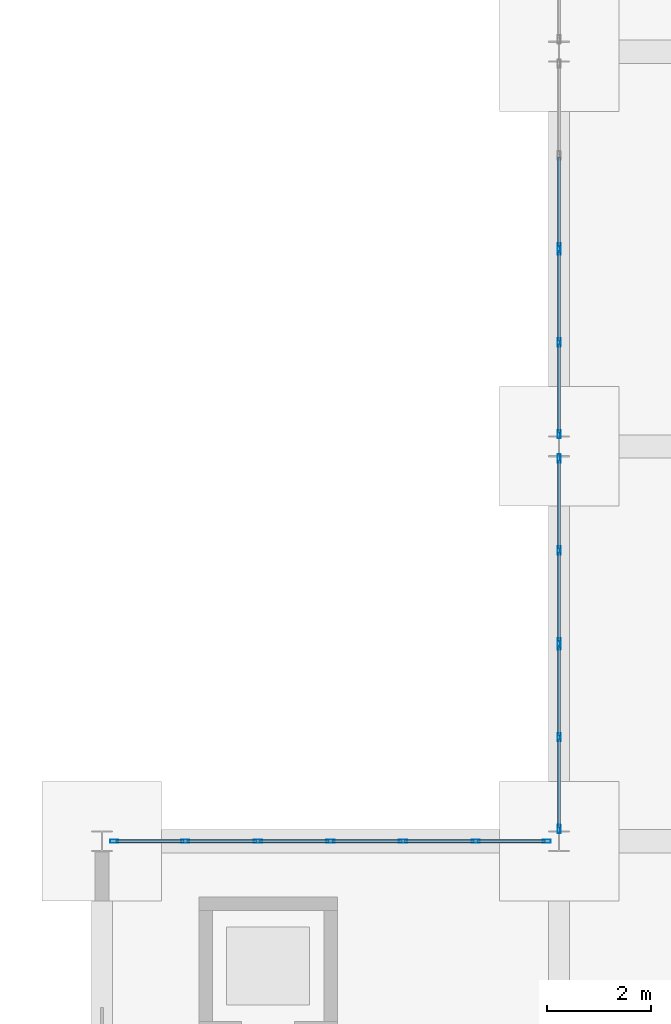
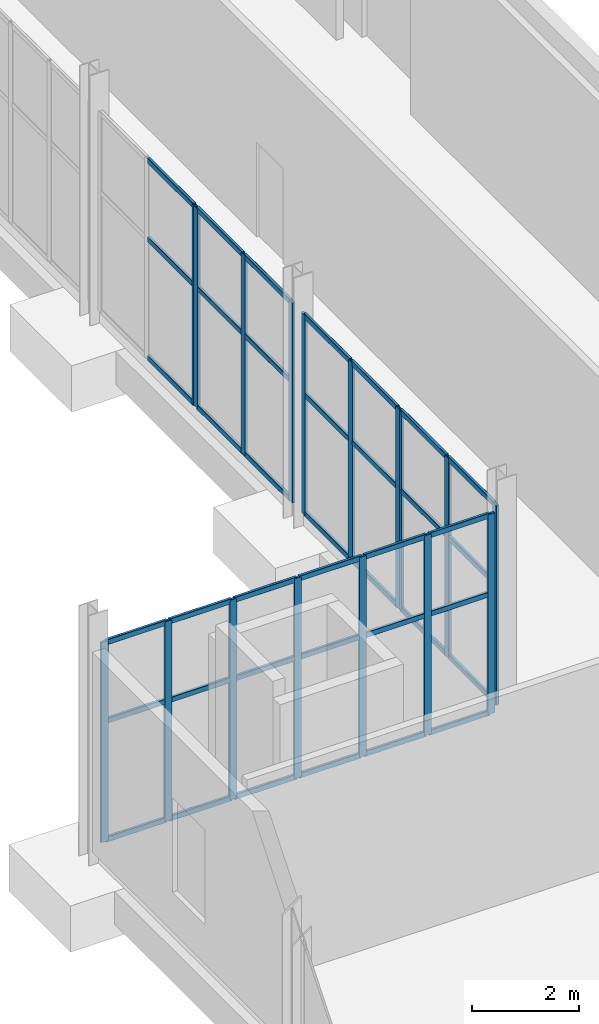
# One storey, part 49 of 95: 56 members, 5 elements without a shape of their own.
"""IFC4 building model written with IfcOpenShell, lengths in metres."""

from ifc_helpers import new_model, si_unit, direction, frame, origin, origin_2d, place, context, subcontext, project, spatial, hollow_rectangle, extrude, material, material_profile, profile_set, type_object, element, aggregate, save


model = new_model("IFC4")

# Units and contexts
model_context = context("Model", 3, precision=1e-05, world=origin(), true_north=direction((0.0, 1.0)))
body_context = subcontext(model_context, "Body", "Model", "MODEL_VIEW")
ifc_project = project(units=[si_unit("LENGTHUNIT", "METRE"), si_unit("AREAUNIT", "SQUARE_METRE"), si_unit("VOLUMEUNIT", "CUBIC_METRE"), si_unit("PLANEANGLEUNIT", "RADIAN"), si_unit("MASSUNIT", "GRAM", prefix="KILO")], contexts=[model_context])

# Site, building, storey
site_placement = place(None, origin())
site = spatial("IfcSite", under=ifc_project, at=site_placement, CompositionType="ELEMENT")
building_placement = place(site_placement, origin())
building = spatial("IfcBuilding", under=site, at=building_placement, Name="Shengluoqiao Park Theatre", CompositionType="ELEMENT")
storey_placement = place(building_placement, origin())
storey = spatial("IfcBuildingStorey", under=building, at=storey_placement, Name="L00", CompositionType="ELEMENT", Elevation=0.0)

# Curtain wall, members
ifc_material = material(Name="Aluminium 6063-T6", Category="aluminium")
curtain_wall_type = type_object("IfcCurtainWallType", Name="ENV-CW-COURT", PredefinedType="NOTDEFINED", material=ifc_material)
curtain_wall_1_placement = place(storey_placement, origin())
curtain_wall_1 = element("IfcCurtainWall", 1, at=curtain_wall_1_placement, inside=storey, type_object=curtain_wall_type, Name="L00 Curtain Wall CWX-L00-0168", PredefinedType="NOTDEFINED")
ifc_material_profile_1 = material_profile(ifc_material, hollow_rectangle(XDim=0.06005859375, YDim=0.159912109375, WallThickness=0.00390625, InnerFilletRadius=0.00390625, OuterFilletRadius=0.008056640625, at=origin_2d()), Name="ALU MULLION 160x60x4")
ifc_profile_set_1 = profile_set([ifc_material_profile_1], Name="Aluminium 6063-T6")
member_type_1 = type_object("IfcMemberType", Name="ENV-MUL-160", PredefinedType="MULLION", material=ifc_profile_set_1)
member_1_placement = place(storey_placement, frame((157.199951171875, 23.033935546875, 0.0), z_axis=(0.0, 0.0, 1.0), x_axis=(-1.0, 0.0, 0.0)))
member_1 = element("IfcMember", 2, at=member_1_placement, type_object=member_type_1, Name="CW-05 mullion 1", PredefinedType="MULLION", context=body_context, shape_type="SweptSolid", body=[
    extrude(hollow_rectangle(XDim=0.06005859375, YDim=0.159912109375, WallThickness=0.00390625, InnerFilletRadius=0.00390625, OuterFilletRadius=0.008056640625, at=origin_2d()), origin(), (0.0, 0.0, 1.0), 4.550048828125),
])
member_2_placement = place(storey_placement, frame((157.199951171875, 24.802001953125, 0.0), z_axis=(0.0, 0.0, 1.0), x_axis=(-1.0, 0.0, 0.0)))
member_2 = element("IfcMember", 3, at=member_2_placement, type_object=member_type_1, Name="CW-05 mullion 2", PredefinedType="MULLION", context=body_context, shape_type="SweptSolid", body=[
    extrude(hollow_rectangle(XDim=0.06005859375, YDim=0.159912109375, WallThickness=0.00390625, InnerFilletRadius=0.00390625, OuterFilletRadius=0.008056640625, at=origin_2d()), origin(), (0.0, 0.0, 1.0), 4.550048828125),
])
member_3_placement = place(storey_placement, frame((157.199951171875, 26.570068359375, 0.0), z_axis=(0.0, 0.0, 1.0), x_axis=(-1.0, 0.0, 0.0)))
member_3 = element("IfcMember", 4, at=member_3_placement, type_object=member_type_1, Name="CW-05 mullion 3", PredefinedType="MULLION", context=body_context, shape_type="SweptSolid", body=[
    extrude(hollow_rectangle(XDim=0.06005859375, YDim=0.159912109375, WallThickness=0.00390625, InnerFilletRadius=0.00390625, OuterFilletRadius=0.008056640625, at=origin_2d()), origin(), (0.0, 0.0, 1.0), 4.550048828125),
])

curtain_wall_2_placement = place(storey_placement, origin())
curtain_wall_2 = element("IfcCurtainWall", 5, at=curtain_wall_2_placement, inside=storey, type_object=curtain_wall_type, Name="L00 Curtain Wall CWX-L00-0169", PredefinedType="NOTDEFINED")
member_4_placement = place(storey_placement, frame((157.199951171875, 26.6298828125, 0.0), z_axis=(0.0, 0.0, 1.0), x_axis=(-1.0, 0.0, 0.0)))
member_4 = element("IfcMember", 6, at=member_4_placement, type_object=member_type_1, Name="CW-05 mullion 1", PredefinedType="MULLION", context=body_context, shape_type="SweptSolid", body=[
    extrude(hollow_rectangle(XDim=0.06005859375, YDim=0.159912109375, WallThickness=0.00390625, InnerFilletRadius=0.00390625, OuterFilletRadius=0.008056640625, at=origin_2d()), origin(), (0.0, 0.0, 1.0), 4.550048828125),
])
member_5_placement = place(storey_placement, frame((157.199951171875, 28.39794921875, 0.0), z_axis=(0.0, 0.0, 1.0), x_axis=(-1.0, 0.0, 0.0)))
member_5 = element("IfcMember", 7, at=member_5_placement, type_object=member_type_1, Name="CW-05 mullion 2", PredefinedType="MULLION", context=body_context, shape_type="SweptSolid", body=[
    extrude(hollow_rectangle(XDim=0.06005859375, YDim=0.159912109375, WallThickness=0.00390625, InnerFilletRadius=0.00390625, OuterFilletRadius=0.008056640625, at=origin_2d()), origin(), (0.0, 0.0, 1.0), 4.550048828125),
])
member_6_placement = place(storey_placement, frame((157.199951171875, 30.166015625, 0.0), z_axis=(0.0, 0.0, 1.0), x_axis=(-1.0, 0.0, 0.0)))
member_6 = element("IfcMember", 8, at=member_6_placement, type_object=member_type_1, Name="CW-05 mullion 3", PredefinedType="MULLION", context=body_context, shape_type="SweptSolid", body=[
    extrude(hollow_rectangle(XDim=0.06005859375, YDim=0.159912109375, WallThickness=0.00390625, InnerFilletRadius=0.00390625, OuterFilletRadius=0.008056640625, at=origin_2d()), origin(), (0.0, 0.0, 1.0), 4.550048828125),
])

curtain_wall_3_placement = place(storey_placement, origin())
curtain_wall_3 = element("IfcCurtainWall", 9, at=curtain_wall_3_placement, inside=storey, type_object=curtain_wall_type, Name="L00 Curtain Wall CWX-L00-0170", PredefinedType="NOTDEFINED")
member_7_placement = place(storey_placement, frame((157.199951171875, 30.634033203125, 0.0), z_axis=(0.0, 0.0, 1.0), x_axis=(-1.0, 0.0, 0.0)))
member_7 = element("IfcMember", 10, at=member_7_placement, type_object=member_type_1, Name="CW-05 mullion 1", PredefinedType="MULLION", context=body_context, shape_type="SweptSolid", body=[
    extrude(hollow_rectangle(XDim=0.06005859375, YDim=0.159912109375, WallThickness=0.00390625, InnerFilletRadius=0.00390625, OuterFilletRadius=0.008056640625, at=origin_2d()), origin(), (0.0, 0.0, 1.0), 4.550048828125),
])
member_8_placement = place(storey_placement, frame((157.199951171875, 32.402099609375, 0.0), z_axis=(0.0, 0.0, 1.0), x_axis=(-1.0, 0.0, 0.0)))
member_8 = element("IfcMember", 11, at=member_8_placement, type_object=member_type_1, Name="CW-05 mullion 2", PredefinedType="MULLION", context=body_context, shape_type="SweptSolid", body=[
    extrude(hollow_rectangle(XDim=0.06005859375, YDim=0.159912109375, WallThickness=0.00390625, InnerFilletRadius=0.00390625, OuterFilletRadius=0.008056640625, at=origin_2d()), origin(), (0.0, 0.0, 1.0), 4.550048828125),
])
member_9_placement = place(storey_placement, frame((157.199951171875, 34.169921875, 0.0), z_axis=(0.0, 0.0, 1.0), x_axis=(-1.0, 0.0, 0.0)))
member_9 = element("IfcMember", 12, at=member_9_placement, type_object=member_type_1, Name="CW-05 mullion 3", PredefinedType="MULLION", context=body_context, shape_type="SweptSolid", body=[
    extrude(hollow_rectangle(XDim=0.06005859375, YDim=0.159912109375, WallThickness=0.00390625, InnerFilletRadius=0.00390625, OuterFilletRadius=0.008056640625, at=origin_2d()), origin(), (0.0, 0.0, 1.0), 4.550048828125),
])

# Curtain wall, member
curtain_wall_4_placement = place(storey_placement, origin())
curtain_wall_4 = element("IfcCurtainWall", 13, at=curtain_wall_4_placement, inside=storey, type_object=curtain_wall_type, Name="L00 Curtain Wall CWX-L00-0171", PredefinedType="NOTDEFINED")
member_10_placement = place(storey_placement, frame((157.199951171875, 34.22998046875, 0.0), z_axis=(0.0, 0.0, 1.0), x_axis=(-1.0, 0.0, 0.0)))
member_10 = element("IfcMember", 14, at=member_10_placement, type_object=member_type_1, Name="CW-05 mullion 1", PredefinedType="MULLION", context=body_context, shape_type="SweptSolid", body=[
    extrude(hollow_rectangle(XDim=0.06005859375, YDim=0.159912109375, WallThickness=0.00390625, InnerFilletRadius=0.00390625, OuterFilletRadius=0.008056640625, at=origin_2d()), origin(), (0.0, 0.0, 1.0), 4.550048828125),
])

# Curtain wall, members
curtain_wall_5_placement = place(storey_placement, origin())
curtain_wall_5 = element("IfcCurtainWall", 15, at=curtain_wall_5_placement, inside=storey, type_object=curtain_wall_type, Name="L00 Curtain Wall CWX-L00-0204", PredefinedType="NOTDEFINED")
member_11_placement = place(storey_placement, frame((148.637939453125, 22.800048828125, 0.0), z_axis=(0.0, 0.0, 1.0), x_axis=(0.0, 1.0, 0.0)))
member_11 = element("IfcMember", 16, at=member_11_placement, type_object=member_type_1, Name="CW-05 mullion 1", PredefinedType="MULLION", context=body_context, shape_type="SweptSolid", body=[
    extrude(hollow_rectangle(XDim=0.06005859375, YDim=0.159912109375, WallThickness=0.00390625, InnerFilletRadius=0.00390625, OuterFilletRadius=0.008056640625, at=origin_2d()), origin(), (0.0, 0.0, 1.0), 4.550048828125),
])
member_12_placement = place(storey_placement, frame((150.00537109375, 22.800048828125, 0.0), z_axis=(0.0, 0.0, 1.0), x_axis=(0.0, 1.0, 0.0)))
member_12 = element("IfcMember", 17, at=member_12_placement, type_object=member_type_1, Name="CW-05 mullion 2", PredefinedType="MULLION", context=body_context, shape_type="SweptSolid", body=[
    extrude(hollow_rectangle(XDim=0.06005859375, YDim=0.159912109375, WallThickness=0.00390625, InnerFilletRadius=0.00390625, OuterFilletRadius=0.008056640625, at=origin_2d()), origin(), (0.0, 0.0, 1.0), 4.550048828125),
])
member_13_placement = place(storey_placement, frame((151.402587890625, 22.800048828125, 0.0), z_axis=(0.0, 0.0, 1.0), x_axis=(0.0, 1.0, 0.0)))
member_13 = element("IfcMember", 18, at=member_13_placement, type_object=member_type_1, Name="CW-05 mullion 3", PredefinedType="MULLION", context=body_context, shape_type="SweptSolid", body=[
    extrude(hollow_rectangle(XDim=0.06005859375, YDim=0.159912109375, WallThickness=0.00390625, InnerFilletRadius=0.00390625, OuterFilletRadius=0.008056640625, at=origin_2d()), origin(), (0.0, 0.0, 1.0), 4.550048828125),
])
member_14_placement = place(storey_placement, frame((152.800048828125, 22.800048828125, 0.0), z_axis=(0.0, 0.0, 1.0), x_axis=(0.0, 1.0, 0.0)))
member_14 = element("IfcMember", 19, at=member_14_placement, type_object=member_type_1, Name="CW-05 mullion 4", PredefinedType="MULLION", context=body_context, shape_type="SweptSolid", body=[
    extrude(hollow_rectangle(XDim=0.06005859375, YDim=0.159912109375, WallThickness=0.00390625, InnerFilletRadius=0.00390625, OuterFilletRadius=0.008056640625, at=origin_2d()), origin(), (0.0, 0.0, 1.0), 4.550048828125),
])
member_15_placement = place(storey_placement, frame((154.197265625, 22.800048828125, 0.0), z_axis=(0.0, 0.0, 1.0), x_axis=(0.0, 1.0, 0.0)))
member_15 = element("IfcMember", 20, at=member_15_placement, type_object=member_type_1, Name="CW-05 mullion 5", PredefinedType="MULLION", context=body_context, shape_type="SweptSolid", body=[
    extrude(hollow_rectangle(XDim=0.06005859375, YDim=0.159912109375, WallThickness=0.00390625, InnerFilletRadius=0.00390625, OuterFilletRadius=0.008056640625, at=origin_2d()), origin(), (0.0, 0.0, 1.0), 4.550048828125),
])
member_16_placement = place(storey_placement, frame((155.5947265625, 22.800048828125, 0.0), z_axis=(0.0, 0.0, 1.0), x_axis=(0.0, 1.0, 0.0)))
member_16 = element("IfcMember", 21, at=member_16_placement, type_object=member_type_1, Name="CW-05 mullion 6", PredefinedType="MULLION", context=body_context, shape_type="SweptSolid", body=[
    extrude(hollow_rectangle(XDim=0.06005859375, YDim=0.159912109375, WallThickness=0.00390625, InnerFilletRadius=0.00390625, OuterFilletRadius=0.008056640625, at=origin_2d()), origin(), (0.0, 0.0, 1.0), 4.550048828125),
])
member_17_placement = place(storey_placement, frame((156.9619140625, 22.800048828125, 0.0), z_axis=(0.0, 0.0, 1.0), x_axis=(0.0, 1.0, 0.0)))
member_17 = element("IfcMember", 22, at=member_17_placement, type_object=member_type_1, Name="CW-05 mullion 7", PredefinedType="MULLION", context=body_context, shape_type="SweptSolid", body=[
    extrude(hollow_rectangle(XDim=0.06005859375, YDim=0.159912109375, WallThickness=0.00390625, InnerFilletRadius=0.00390625, OuterFilletRadius=0.008056640625, at=origin_2d()), origin(), (0.0, 0.0, 1.0), 4.550048828125),
])

# Member
ifc_material_profile_2 = material_profile(ifc_material, hollow_rectangle(XDim=0.06005859375, YDim=0.1201171875, WallThickness=0.00390625, InnerFilletRadius=0.00390625, OuterFilletRadius=0.008056640625, at=origin_2d()), Name="ALU TRANSOM 120x60x4")
ifc_profile_set_2 = profile_set([ifc_material_profile_2], Name="Aluminium 6063-T6")
member_type_2 = type_object("IfcMemberType", Name="ENV-TRN-120", PredefinedType="USERDEFINED", material=ifc_profile_set_2)
member_18_placement = place(storey_placement, frame((157.199951171875, 23.06396484375, 0.030029296875), z_axis=(0.0, 1.0, 0.0), x_axis=(-1.0, 0.0, 0.0)))
member_18 = element("IfcMember", 23, at=member_18_placement, type_object=member_type_2, Name="CW-05 transom 1.1", ObjectType="TRANSOM", PredefinedType="USERDEFINED", context=body_context, shape_type="SweptSolid", body=[
    extrude(hollow_rectangle(XDim=0.06005859375, YDim=0.1201171875, WallThickness=0.00390625, InnerFilletRadius=0.00390625, OuterFilletRadius=0.008056640625, at=origin_2d()), origin(), (0.0, 0.0, 1.0), 1.7080078125),
])

member_19_placement = place(storey_placement, frame((157.199951171875, 23.06396484375, 2.72998046875), z_axis=(0.0, 1.0, 0.0), x_axis=(-1.0, 0.0, 0.0)))
member_19 = element("IfcMember", 24, at=member_19_placement, type_object=member_type_2, Name="CW-05 transom 1.2", ObjectType="TRANSOM", PredefinedType="USERDEFINED", context=body_context, shape_type="SweptSolid", body=[
    extrude(hollow_rectangle(XDim=0.06005859375, YDim=0.1201171875, WallThickness=0.00390625, InnerFilletRadius=0.00390625, OuterFilletRadius=0.008056640625, at=origin_2d()), origin(), (0.0, 0.0, 1.0), 1.7080078125),
])

member_20_placement = place(storey_placement, frame((157.199951171875, 23.06396484375, 4.52001953125), z_axis=(0.0, 1.0, 0.0), x_axis=(-1.0, 0.0, 0.0)))
member_20 = element("IfcMember", 25, at=member_20_placement, type_object=member_type_2, Name="CW-05 transom 1.3", ObjectType="TRANSOM", PredefinedType="USERDEFINED", context=body_context, shape_type="SweptSolid", body=[
    extrude(hollow_rectangle(XDim=0.06005859375, YDim=0.1201171875, WallThickness=0.00390625, InnerFilletRadius=0.00390625, OuterFilletRadius=0.008056640625, at=origin_2d()), origin(), (0.0, 0.0, 1.0), 1.7080078125),
])

member_21_placement = place(storey_placement, frame((157.199951171875, 24.83203125, 0.030029296875), z_axis=(0.0, 1.0, 0.0), x_axis=(-1.0, 0.0, 0.0)))
member_21 = element("IfcMember", 26, at=member_21_placement, type_object=member_type_2, Name="CW-05 transom 2.1", ObjectType="TRANSOM", PredefinedType="USERDEFINED", context=body_context, shape_type="SweptSolid", body=[
    extrude(hollow_rectangle(XDim=0.06005859375, YDim=0.1201171875, WallThickness=0.00390625, InnerFilletRadius=0.00390625, OuterFilletRadius=0.008056640625, at=origin_2d()), origin(), (0.0, 0.0, 1.0), 1.7080078125),
])

member_22_placement = place(storey_placement, frame((157.199951171875, 24.83203125, 2.72998046875), z_axis=(0.0, 1.0, 0.0), x_axis=(-1.0, 0.0, 0.0)))
member_22 = element("IfcMember", 27, at=member_22_placement, type_object=member_type_2, Name="CW-05 transom 2.2", ObjectType="TRANSOM", PredefinedType="USERDEFINED", context=body_context, shape_type="SweptSolid", body=[
    extrude(hollow_rectangle(XDim=0.06005859375, YDim=0.1201171875, WallThickness=0.00390625, InnerFilletRadius=0.00390625, OuterFilletRadius=0.008056640625, at=origin_2d()), origin(), (0.0, 0.0, 1.0), 1.7080078125),
])

member_23_placement = place(storey_placement, frame((157.199951171875, 24.83203125, 4.52001953125), z_axis=(0.0, 1.0, 0.0), x_axis=(-1.0, 0.0, 0.0)))
member_23 = element("IfcMember", 28, at=member_23_placement, type_object=member_type_2, Name="CW-05 transom 2.3", ObjectType="TRANSOM", PredefinedType="USERDEFINED", context=body_context, shape_type="SweptSolid", body=[
    extrude(hollow_rectangle(XDim=0.06005859375, YDim=0.1201171875, WallThickness=0.00390625, InnerFilletRadius=0.00390625, OuterFilletRadius=0.008056640625, at=origin_2d()), origin(), (0.0, 0.0, 1.0), 1.7080078125),
])

aggregate(curtain_wall_1, [member_1, member_2, member_3, member_18, member_19, member_20, member_21, member_22, member_23])

member_24_placement = place(storey_placement, frame((157.199951171875, 26.659912109375, 0.030029296875), z_axis=(0.0, 1.0, 0.0), x_axis=(-1.0, 0.0, 0.0)))
member_24 = element("IfcMember", 29, at=member_24_placement, type_object=member_type_2, Name="CW-05 transom 1.1", ObjectType="TRANSOM", PredefinedType="USERDEFINED", context=body_context, shape_type="SweptSolid", body=[
    extrude(hollow_rectangle(XDim=0.06005859375, YDim=0.1201171875, WallThickness=0.00390625, InnerFilletRadius=0.00390625, OuterFilletRadius=0.008056640625, at=origin_2d()), origin(), (0.0, 0.0, 1.0), 1.7080078125),
])

member_25_placement = place(storey_placement, frame((157.199951171875, 26.659912109375, 2.72998046875), z_axis=(0.0, 1.0, 0.0), x_axis=(-1.0, 0.0, 0.0)))
member_25 = element("IfcMember", 30, at=member_25_placement, type_object=member_type_2, Name="CW-05 transom 1.2", ObjectType="TRANSOM", PredefinedType="USERDEFINED", context=body_context, shape_type="SweptSolid", body=[
    extrude(hollow_rectangle(XDim=0.06005859375, YDim=0.1201171875, WallThickness=0.00390625, InnerFilletRadius=0.00390625, OuterFilletRadius=0.008056640625, at=origin_2d()), origin(), (0.0, 0.0, 1.0), 1.7080078125),
])

member_26_placement = place(storey_placement, frame((157.199951171875, 26.659912109375, 4.52001953125), z_axis=(0.0, 1.0, 0.0), x_axis=(-1.0, 0.0, 0.0)))
member_26 = element("IfcMember", 31, at=member_26_placement, type_object=member_type_2, Name="CW-05 transom 1.3", ObjectType="TRANSOM", PredefinedType="USERDEFINED", context=body_context, shape_type="SweptSolid", body=[
    extrude(hollow_rectangle(XDim=0.06005859375, YDim=0.1201171875, WallThickness=0.00390625, InnerFilletRadius=0.00390625, OuterFilletRadius=0.008056640625, at=origin_2d()), origin(), (0.0, 0.0, 1.0), 1.7080078125),
])

member_27_placement = place(storey_placement, frame((157.199951171875, 28.427978515625, 0.030029296875), z_axis=(0.0, 1.0, 0.0), x_axis=(-1.0, 0.0, 0.0)))
member_27 = element("IfcMember", 32, at=member_27_placement, type_object=member_type_2, Name="CW-05 transom 2.1", ObjectType="TRANSOM", PredefinedType="USERDEFINED", context=body_context, shape_type="SweptSolid", body=[
    extrude(hollow_rectangle(XDim=0.06005859375, YDim=0.1201171875, WallThickness=0.00390625, InnerFilletRadius=0.00390625, OuterFilletRadius=0.008056640625, at=origin_2d()), origin(), (0.0, 0.0, 1.0), 1.7080078125),
])

member_28_placement = place(storey_placement, frame((157.199951171875, 28.427978515625, 2.72998046875), z_axis=(0.0, 1.0, 0.0), x_axis=(-1.0, 0.0, 0.0)))
member_28 = element("IfcMember", 33, at=member_28_placement, type_object=member_type_2, Name="CW-05 transom 2.2", ObjectType="TRANSOM", PredefinedType="USERDEFINED", context=body_context, shape_type="SweptSolid", body=[
    extrude(hollow_rectangle(XDim=0.06005859375, YDim=0.1201171875, WallThickness=0.00390625, InnerFilletRadius=0.00390625, OuterFilletRadius=0.008056640625, at=origin_2d()), origin(), (0.0, 0.0, 1.0), 1.7080078125),
])

member_29_placement = place(storey_placement, frame((157.199951171875, 28.427978515625, 4.52001953125), z_axis=(0.0, 1.0, 0.0), x_axis=(-1.0, 0.0, 0.0)))
member_29 = element("IfcMember", 34, at=member_29_placement, type_object=member_type_2, Name="CW-05 transom 2.3", ObjectType="TRANSOM", PredefinedType="USERDEFINED", context=body_context, shape_type="SweptSolid", body=[
    extrude(hollow_rectangle(XDim=0.06005859375, YDim=0.1201171875, WallThickness=0.00390625, InnerFilletRadius=0.00390625, OuterFilletRadius=0.008056640625, at=origin_2d()), origin(), (0.0, 0.0, 1.0), 1.7080078125),
])

aggregate(curtain_wall_2, [member_4, member_5, member_6, member_24, member_25, member_26, member_27, member_28, member_29])

member_30_placement = place(storey_placement, frame((157.199951171875, 30.6640625, 0.030029296875), z_axis=(0.0, 1.0, 0.0), x_axis=(-1.0, 0.0, 0.0)))
member_30 = element("IfcMember", 35, at=member_30_placement, type_object=member_type_2, Name="CW-05 transom 1.1", ObjectType="TRANSOM", PredefinedType="USERDEFINED", context=body_context, shape_type="SweptSolid", body=[
    extrude(hollow_rectangle(XDim=0.06005859375, YDim=0.1201171875, WallThickness=0.00390625, InnerFilletRadius=0.00390625, OuterFilletRadius=0.008056640625, at=origin_2d()), origin(), (0.0, 0.0, 1.0), 1.7080078125),
])

member_31_placement = place(storey_placement, frame((157.199951171875, 30.6640625, 2.72998046875), z_axis=(0.0, 1.0, 0.0), x_axis=(-1.0, 0.0, 0.0)))
member_31 = element("IfcMember", 36, at=member_31_placement, type_object=member_type_2, Name="CW-05 transom 1.2", ObjectType="TRANSOM", PredefinedType="USERDEFINED", context=body_context, shape_type="SweptSolid", body=[
    extrude(hollow_rectangle(XDim=0.06005859375, YDim=0.1201171875, WallThickness=0.00390625, InnerFilletRadius=0.00390625, OuterFilletRadius=0.008056640625, at=origin_2d()), origin(), (0.0, 0.0, 1.0), 1.7080078125),
])

member_32_placement = place(storey_placement, frame((157.199951171875, 30.6640625, 4.52001953125), z_axis=(0.0, 1.0, 0.0), x_axis=(-1.0, 0.0, 0.0)))
member_32 = element("IfcMember", 37, at=member_32_placement, type_object=member_type_2, Name="CW-05 transom 1.3", ObjectType="TRANSOM", PredefinedType="USERDEFINED", context=body_context, shape_type="SweptSolid", body=[
    extrude(hollow_rectangle(XDim=0.06005859375, YDim=0.1201171875, WallThickness=0.00390625, InnerFilletRadius=0.00390625, OuterFilletRadius=0.008056640625, at=origin_2d()), origin(), (0.0, 0.0, 1.0), 1.7080078125),
])

member_33_placement = place(storey_placement, frame((157.199951171875, 32.431884765625, 0.030029296875), z_axis=(0.0, 1.0, 0.0), x_axis=(-1.0, 0.0, 0.0)))
member_33 = element("IfcMember", 38, at=member_33_placement, type_object=member_type_2, Name="CW-05 transom 2.1", ObjectType="TRANSOM", PredefinedType="USERDEFINED", context=body_context, shape_type="SweptSolid", body=[
    extrude(hollow_rectangle(XDim=0.06005859375, YDim=0.1201171875, WallThickness=0.00390625, InnerFilletRadius=0.00390625, OuterFilletRadius=0.008056640625, at=origin_2d()), origin(), (0.0, 0.0, 1.0), 1.7080078125),
])

member_34_placement = place(storey_placement, frame((157.199951171875, 32.431884765625, 2.72998046875), z_axis=(0.0, 1.0, 0.0), x_axis=(-1.0, 0.0, 0.0)))
member_34 = element("IfcMember", 39, at=member_34_placement, type_object=member_type_2, Name="CW-05 transom 2.2", ObjectType="TRANSOM", PredefinedType="USERDEFINED", context=body_context, shape_type="SweptSolid", body=[
    extrude(hollow_rectangle(XDim=0.06005859375, YDim=0.1201171875, WallThickness=0.00390625, InnerFilletRadius=0.00390625, OuterFilletRadius=0.008056640625, at=origin_2d()), origin(), (0.0, 0.0, 1.0), 1.7080078125),
])

member_35_placement = place(storey_placement, frame((157.199951171875, 32.431884765625, 4.52001953125), z_axis=(0.0, 1.0, 0.0), x_axis=(-1.0, 0.0, 0.0)))
member_35 = element("IfcMember", 40, at=member_35_placement, type_object=member_type_2, Name="CW-05 transom 2.3", ObjectType="TRANSOM", PredefinedType="USERDEFINED", context=body_context, shape_type="SweptSolid", body=[
    extrude(hollow_rectangle(XDim=0.06005859375, YDim=0.1201171875, WallThickness=0.00390625, InnerFilletRadius=0.00390625, OuterFilletRadius=0.008056640625, at=origin_2d()), origin(), (0.0, 0.0, 1.0), 1.7080078125),
])

aggregate(curtain_wall_3, [member_7, member_8, member_9, member_30, member_31, member_32, member_33, member_34, member_35])

member_36_placement = place(storey_placement, frame((157.199951171875, 34.260009765625, 0.030029296875), z_axis=(0.0, 1.0, 0.0), x_axis=(-1.0, 0.0, 0.0)))
member_36 = element("IfcMember", 41, at=member_36_placement, type_object=member_type_2, Name="CW-05 transom 1.1", ObjectType="TRANSOM", PredefinedType="USERDEFINED", context=body_context, shape_type="SweptSolid", body=[
    extrude(hollow_rectangle(XDim=0.06005859375, YDim=0.1201171875, WallThickness=0.00390625, InnerFilletRadius=0.00390625, OuterFilletRadius=0.008056640625, at=origin_2d()), origin(), (0.0, 0.0, 1.0), 1.7080078125),
])

member_37_placement = place(storey_placement, frame((157.199951171875, 34.260009765625, 2.72998046875), z_axis=(0.0, 1.0, 0.0), x_axis=(-1.0, 0.0, 0.0)))
member_37 = element("IfcMember", 42, at=member_37_placement, type_object=member_type_2, Name="CW-05 transom 1.2", ObjectType="TRANSOM", PredefinedType="USERDEFINED", context=body_context, shape_type="SweptSolid", body=[
    extrude(hollow_rectangle(XDim=0.06005859375, YDim=0.1201171875, WallThickness=0.00390625, InnerFilletRadius=0.00390625, OuterFilletRadius=0.008056640625, at=origin_2d()), origin(), (0.0, 0.0, 1.0), 1.7080078125),
])

member_38_placement = place(storey_placement, frame((157.199951171875, 34.260009765625, 4.52001953125), z_axis=(0.0, 1.0, 0.0), x_axis=(-1.0, 0.0, 0.0)))
member_38 = element("IfcMember", 43, at=member_38_placement, type_object=member_type_2, Name="CW-05 transom 1.3", ObjectType="TRANSOM", PredefinedType="USERDEFINED", context=body_context, shape_type="SweptSolid", body=[
    extrude(hollow_rectangle(XDim=0.06005859375, YDim=0.1201171875, WallThickness=0.00390625, InnerFilletRadius=0.00390625, OuterFilletRadius=0.008056640625, at=origin_2d()), origin(), (0.0, 0.0, 1.0), 1.7080078125),
])

aggregate(curtain_wall_4, [member_10, member_36, member_37, member_38])

member_39_placement = place(storey_placement, frame((148.66796875, 22.800048828125, 0.030029296875), z_axis=(1.0, 0.0, 0.0), x_axis=(0.0, 1.0, 0.0)))
member_39 = element("IfcMember", 44, at=member_39_placement, type_object=member_type_2, Name="CW-05 transom 1.1", ObjectType="TRANSOM", PredefinedType="USERDEFINED", context=body_context, shape_type="SweptSolid", body=[
    extrude(hollow_rectangle(XDim=0.06005859375, YDim=0.1201171875, WallThickness=0.00390625, InnerFilletRadius=0.00390625, OuterFilletRadius=0.008056640625, at=origin_2d()), origin(), (0.0, 0.0, 1.0), 1.307373046875),
])

member_40_placement = place(storey_placement, frame((148.66796875, 22.800048828125, 2.72998046875), z_axis=(1.0, 0.0, 0.0), x_axis=(0.0, 1.0, 0.0)))
member_40 = element("IfcMember", 45, at=member_40_placement, type_object=member_type_2, Name="CW-05 transom 1.2", ObjectType="TRANSOM", PredefinedType="USERDEFINED", context=body_context, shape_type="SweptSolid", body=[
    extrude(hollow_rectangle(XDim=0.06005859375, YDim=0.1201171875, WallThickness=0.00390625, InnerFilletRadius=0.00390625, OuterFilletRadius=0.008056640625, at=origin_2d()), origin(), (0.0, 0.0, 1.0), 1.307373046875),
])

member_41_placement = place(storey_placement, frame((148.66796875, 22.800048828125, 4.52001953125), z_axis=(1.0, 0.0, 0.0), x_axis=(0.0, 1.0, 0.0)))
member_41 = element("IfcMember", 46, at=member_41_placement, type_object=member_type_2, Name="CW-05 transom 1.3", ObjectType="TRANSOM", PredefinedType="USERDEFINED", context=body_context, shape_type="SweptSolid", body=[
    extrude(hollow_rectangle(XDim=0.06005859375, YDim=0.1201171875, WallThickness=0.00390625, InnerFilletRadius=0.00390625, OuterFilletRadius=0.008056640625, at=origin_2d()), origin(), (0.0, 0.0, 1.0), 1.307373046875),
])

member_42_placement = place(storey_placement, frame((150.035400390625, 22.800048828125, 0.030029296875), z_axis=(1.0, 0.0, 0.0), x_axis=(0.0, 1.0, 0.0)))
member_42 = element("IfcMember", 47, at=member_42_placement, type_object=member_type_2, Name="CW-05 transom 2.1", ObjectType="TRANSOM", PredefinedType="USERDEFINED", context=body_context, shape_type="SweptSolid", body=[
    extrude(hollow_rectangle(XDim=0.06005859375, YDim=0.1201171875, WallThickness=0.00390625, InnerFilletRadius=0.00390625, OuterFilletRadius=0.008056640625, at=origin_2d()), origin(), (0.0, 0.0, 1.0), 1.337158203125),
])

member_43_placement = place(storey_placement, frame((150.035400390625, 22.800048828125, 2.72998046875), z_axis=(1.0, 0.0, 0.0), x_axis=(0.0, 1.0, 0.0)))
member_43 = element("IfcMember", 48, at=member_43_placement, type_object=member_type_2, Name="CW-05 transom 2.2", ObjectType="TRANSOM", PredefinedType="USERDEFINED", context=body_context, shape_type="SweptSolid", body=[
    extrude(hollow_rectangle(XDim=0.06005859375, YDim=0.1201171875, WallThickness=0.00390625, InnerFilletRadius=0.00390625, OuterFilletRadius=0.008056640625, at=origin_2d()), origin(), (0.0, 0.0, 1.0), 1.337158203125),
])

member_44_placement = place(storey_placement, frame((150.035400390625, 22.800048828125, 4.52001953125), z_axis=(1.0, 0.0, 0.0), x_axis=(0.0, 1.0, 0.0)))
member_44 = element("IfcMember", 49, at=member_44_placement, type_object=member_type_2, Name="CW-05 transom 2.3", ObjectType="TRANSOM", PredefinedType="USERDEFINED", context=body_context, shape_type="SweptSolid", body=[
    extrude(hollow_rectangle(XDim=0.06005859375, YDim=0.1201171875, WallThickness=0.00390625, InnerFilletRadius=0.00390625, OuterFilletRadius=0.008056640625, at=origin_2d()), origin(), (0.0, 0.0, 1.0), 1.337158203125),
])

member_45_placement = place(storey_placement, frame((151.4326171875, 22.800048828125, 0.030029296875), z_axis=(1.0, 0.0, 0.0), x_axis=(0.0, 1.0, 0.0)))
member_45 = element("IfcMember", 50, at=member_45_placement, type_object=member_type_2, Name="CW-05 transom 3.1", ObjectType="TRANSOM", PredefinedType="USERDEFINED", context=body_context, shape_type="SweptSolid", body=[
    extrude(hollow_rectangle(XDim=0.06005859375, YDim=0.1201171875, WallThickness=0.00390625, InnerFilletRadius=0.00390625, OuterFilletRadius=0.008056640625, at=origin_2d()), origin(), (0.0, 0.0, 1.0), 1.33740234375),
])

member_46_placement = place(storey_placement, frame((151.4326171875, 22.800048828125, 2.72998046875), z_axis=(1.0, 0.0, 0.0), x_axis=(0.0, 1.0, 0.0)))
member_46 = element("IfcMember", 51, at=member_46_placement, type_object=member_type_2, Name="CW-05 transom 3.2", ObjectType="TRANSOM", PredefinedType="USERDEFINED", context=body_context, shape_type="SweptSolid", body=[
    extrude(hollow_rectangle(XDim=0.06005859375, YDim=0.1201171875, WallThickness=0.00390625, InnerFilletRadius=0.00390625, OuterFilletRadius=0.008056640625, at=origin_2d()), origin(), (0.0, 0.0, 1.0), 1.33740234375),
])

member_47_placement = place(storey_placement, frame((151.4326171875, 22.800048828125, 4.52001953125), z_axis=(1.0, 0.0, 0.0), x_axis=(0.0, 1.0, 0.0)))
member_47 = element("IfcMember", 52, at=member_47_placement, type_object=member_type_2, Name="CW-05 transom 3.3", ObjectType="TRANSOM", PredefinedType="USERDEFINED", context=body_context, shape_type="SweptSolid", body=[
    extrude(hollow_rectangle(XDim=0.06005859375, YDim=0.1201171875, WallThickness=0.00390625, InnerFilletRadius=0.00390625, OuterFilletRadius=0.008056640625, at=origin_2d()), origin(), (0.0, 0.0, 1.0), 1.33740234375),
])

member_48_placement = place(storey_placement, frame((152.830078125, 22.800048828125, 0.030029296875), z_axis=(1.0, 0.0, 0.0), x_axis=(0.0, 1.0, 0.0)))
member_48 = element("IfcMember", 53, at=member_48_placement, type_object=member_type_2, Name="CW-05 transom 4.1", ObjectType="TRANSOM", PredefinedType="USERDEFINED", context=body_context, shape_type="SweptSolid", body=[
    extrude(hollow_rectangle(XDim=0.06005859375, YDim=0.1201171875, WallThickness=0.00390625, InnerFilletRadius=0.00390625, OuterFilletRadius=0.008056640625, at=origin_2d()), origin(), (0.0, 0.0, 1.0), 1.337158203125),
])

member_49_placement = place(storey_placement, frame((152.830078125, 22.800048828125, 2.72998046875), z_axis=(1.0, 0.0, 0.0), x_axis=(0.0, 1.0, 0.0)))
member_49 = element("IfcMember", 54, at=member_49_placement, type_object=member_type_2, Name="CW-05 transom 4.2", ObjectType="TRANSOM", PredefinedType="USERDEFINED", context=body_context, shape_type="SweptSolid", body=[
    extrude(hollow_rectangle(XDim=0.06005859375, YDim=0.1201171875, WallThickness=0.00390625, InnerFilletRadius=0.00390625, OuterFilletRadius=0.008056640625, at=origin_2d()), origin(), (0.0, 0.0, 1.0), 1.337158203125),
])

member_50_placement = place(storey_placement, frame((152.830078125, 22.800048828125, 4.52001953125), z_axis=(1.0, 0.0, 0.0), x_axis=(0.0, 1.0, 0.0)))
member_50 = element("IfcMember", 55, at=member_50_placement, type_object=member_type_2, Name="CW-05 transom 4.3", ObjectType="TRANSOM", PredefinedType="USERDEFINED", context=body_context, shape_type="SweptSolid", body=[
    extrude(hollow_rectangle(XDim=0.06005859375, YDim=0.1201171875, WallThickness=0.00390625, InnerFilletRadius=0.00390625, OuterFilletRadius=0.008056640625, at=origin_2d()), origin(), (0.0, 0.0, 1.0), 1.337158203125),
])

member_51_placement = place(storey_placement, frame((154.227294921875, 22.800048828125, 0.030029296875), z_axis=(1.0, 0.0, 0.0), x_axis=(0.0, 1.0, 0.0)))
member_51 = element("IfcMember", 56, at=member_51_placement, type_object=member_type_2, Name="CW-05 transom 5.1", ObjectType="TRANSOM", PredefinedType="USERDEFINED", context=body_context, shape_type="SweptSolid", body=[
    extrude(hollow_rectangle(XDim=0.06005859375, YDim=0.1201171875, WallThickness=0.00390625, InnerFilletRadius=0.00390625, OuterFilletRadius=0.008056640625, at=origin_2d()), origin(), (0.0, 0.0, 1.0), 1.33740234375),
])

member_52_placement = place(storey_placement, frame((154.227294921875, 22.800048828125, 2.72998046875), z_axis=(1.0, 0.0, 0.0), x_axis=(0.0, 1.0, 0.0)))
member_52 = element("IfcMember", 57, at=member_52_placement, type_object=member_type_2, Name="CW-05 transom 5.2", ObjectType="TRANSOM", PredefinedType="USERDEFINED", context=body_context, shape_type="SweptSolid", body=[
    extrude(hollow_rectangle(XDim=0.06005859375, YDim=0.1201171875, WallThickness=0.00390625, InnerFilletRadius=0.00390625, OuterFilletRadius=0.008056640625, at=origin_2d()), origin(), (0.0, 0.0, 1.0), 1.33740234375),
])

member_53_placement = place(storey_placement, frame((154.227294921875, 22.800048828125, 4.52001953125), z_axis=(1.0, 0.0, 0.0), x_axis=(0.0, 1.0, 0.0)))
member_53 = element("IfcMember", 58, at=member_53_placement, type_object=member_type_2, Name="CW-05 transom 5.3", ObjectType="TRANSOM", PredefinedType="USERDEFINED", context=body_context, shape_type="SweptSolid", body=[
    extrude(hollow_rectangle(XDim=0.06005859375, YDim=0.1201171875, WallThickness=0.00390625, InnerFilletRadius=0.00390625, OuterFilletRadius=0.008056640625, at=origin_2d()), origin(), (0.0, 0.0, 1.0), 1.33740234375),
])

member_54_placement = place(storey_placement, frame((155.624755859375, 22.800048828125, 0.030029296875), z_axis=(1.0, 0.0, 0.0), x_axis=(0.0, 1.0, 0.0)))
member_54 = element("IfcMember", 59, at=member_54_placement, type_object=member_type_2, Name="CW-05 transom 6.1", ObjectType="TRANSOM", PredefinedType="USERDEFINED", context=body_context, shape_type="SweptSolid", body=[
    extrude(hollow_rectangle(XDim=0.06005859375, YDim=0.1201171875, WallThickness=0.00390625, InnerFilletRadius=0.00390625, OuterFilletRadius=0.008056640625, at=origin_2d()), origin(), (0.0, 0.0, 1.0), 1.30712890625),
])

member_55_placement = place(storey_placement, frame((155.624755859375, 22.800048828125, 2.72998046875), z_axis=(1.0, 0.0, 0.0), x_axis=(0.0, 1.0, 0.0)))
member_55 = element("IfcMember", 60, at=member_55_placement, type_object=member_type_2, Name="CW-05 transom 6.2", ObjectType="TRANSOM", PredefinedType="USERDEFINED", context=body_context, shape_type="SweptSolid", body=[
    extrude(hollow_rectangle(XDim=0.06005859375, YDim=0.1201171875, WallThickness=0.00390625, InnerFilletRadius=0.00390625, OuterFilletRadius=0.008056640625, at=origin_2d()), origin(), (0.0, 0.0, 1.0), 1.30712890625),
])

member_56_placement = place(storey_placement, frame((155.624755859375, 22.800048828125, 4.52001953125), z_axis=(1.0, 0.0, 0.0), x_axis=(0.0, 1.0, 0.0)))
member_56 = element("IfcMember", 61, at=member_56_placement, type_object=member_type_2, Name="CW-05 transom 6.3", ObjectType="TRANSOM", PredefinedType="USERDEFINED", context=body_context, shape_type="SweptSolid", body=[
    extrude(hollow_rectangle(XDim=0.06005859375, YDim=0.1201171875, WallThickness=0.00390625, InnerFilletRadius=0.00390625, OuterFilletRadius=0.008056640625, at=origin_2d()), origin(), (0.0, 0.0, 1.0), 1.30712890625),
])

aggregate(curtain_wall_5, [member_11, member_12, member_13, member_14, member_15, member_16, member_17, member_39, member_40, member_41, member_42, member_43, member_44, member_45, member_46, member_47, member_48, member_49, member_50, member_51, member_52, member_53, member_54, member_55, member_56])

save(model, "model.ifc")
